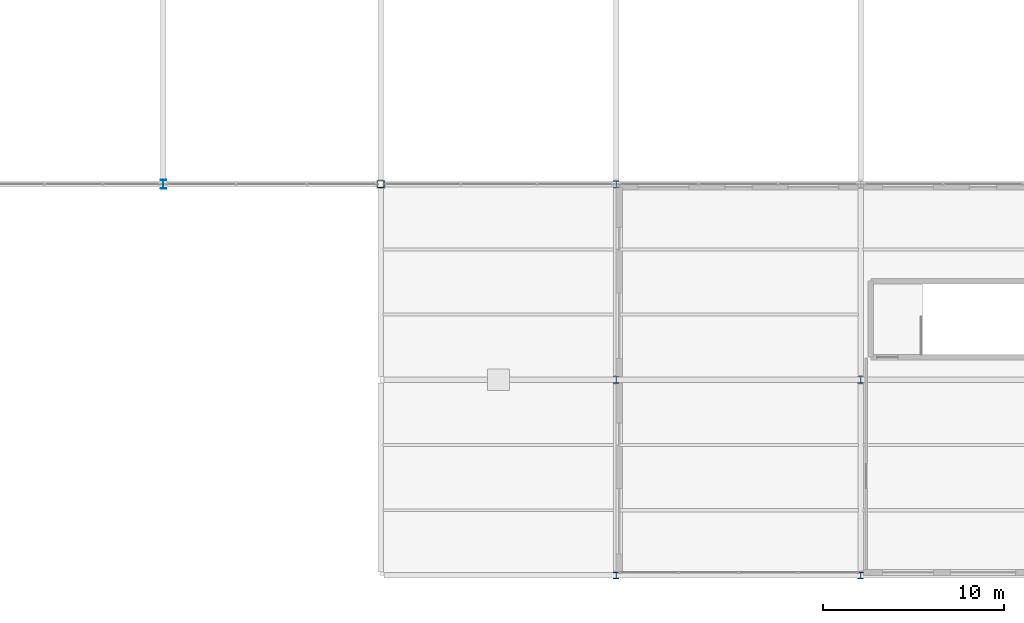
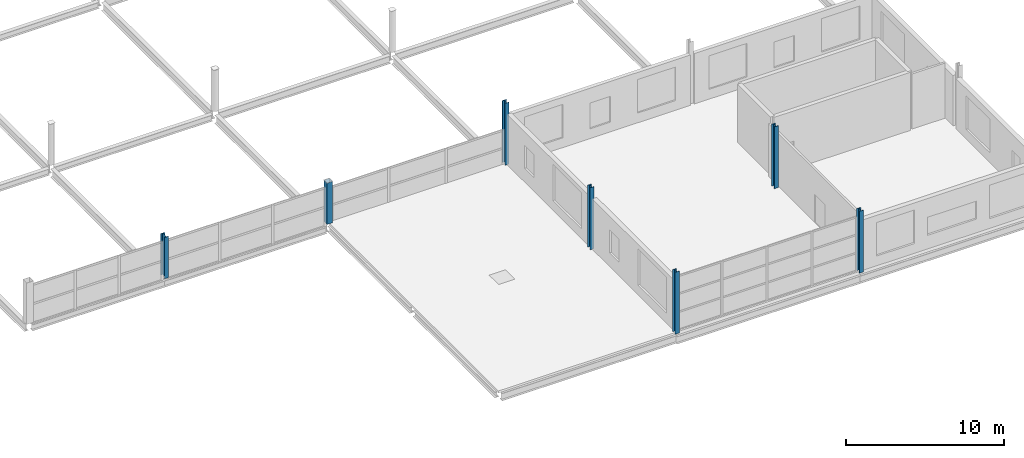
# One storey, part 13 of 134: 7 columns.
"""IFC4 building model written with IfcOpenShell, lengths in metres."""

from ifc_helpers import new_model, si_unit, direction, frame, origin, origin_2d, place, context, subcontext, project, spatial, hollow_rectangle, i_section, extrude, material, material_profile, profile_set, type_object, element, save


model = new_model("IFC4")

# Units and contexts
model_context = context("Model", 3, precision=1e-05, world=origin(), true_north=direction((0.0, 1.0)))
body_context = subcontext(model_context, "Body", "Model", "MODEL_VIEW")
ifc_project = project(units=[si_unit("LENGTHUNIT", "METRE"), si_unit("AREAUNIT", "SQUARE_METRE"), si_unit("VOLUMEUNIT", "CUBIC_METRE"), si_unit("PLANEANGLEUNIT", "RADIAN"), si_unit("MASSUNIT", "GRAM", prefix="KILO")], contexts=[model_context])

# Site, building, storey
site_placement = place(None, origin())
site = spatial("IfcSite", under=ifc_project, at=site_placement, CompositionType="ELEMENT")
building_placement = place(site_placement, origin())
building = spatial("IfcBuilding", under=site, at=building_placement, Name="Tamarisk Ironworks Central Station", CompositionType="ELEMENT")
storey_placement = place(building_placement, frame((0.0, 0.0, 12.60009765625)))
storey = spatial("IfcBuildingStorey", under=building, at=storey_placement, Name="L02", CompositionType="ELEMENT", Elevation=12.60009765625)

# Columns
ifc_material_1 = material(Name="Structural steel S355J2", Category="steel")
ifc_material_profile_1 = material_profile(ifc_material_1, i_section(OverallWidth=0.300048828125, OverallDepth=0.5, WebThickness=0.014404296875, FlangeThickness=0.028076171875, at=origin_2d()), Name="HEB 500")
ifc_profile_set_1 = profile_set([ifc_material_profile_1], Name="Structural steel S355J2")
column_type_1 = type_object("IfcColumnType", Name="COL-S07", PredefinedType="COLUMN", material=ifc_profile_set_1)
column_1_placement = place(storey_placement, frame((128.0, 21.60009765625, 0.0), z_axis=(0.0, 0.0, 1.0), x_axis=(1.0, 0.0, 0.0)))
element("IfcColumn", 1, at=column_1_placement, inside=storey, type_object=column_type_1, Name="L02 column V5S-16C", PredefinedType="COLUMN", context=body_context, shape_type="SweptSolid", body=[
    extrude(i_section(OverallWidth=0.300048828125, OverallDepth=0.5, WebThickness=0.014404296875, FlangeThickness=0.028076171875, at=origin_2d()), origin(), (0.0, 0.0, 1.0), 3.199951171875),
])
ifc_material_profile_2 = material_profile(ifc_material_1, i_section(OverallWidth=0.300048828125, OverallDepth=0.360107421875, WebThickness=0.012451171875, FlangeThickness=0.0224609375, at=origin_2d()), Name="HEB 360")
ifc_profile_set_2 = profile_set([ifc_material_profile_2], Name="Structural steel S355J2")
column_type_2 = type_object("IfcColumnType", Name="COL-S10", PredefinedType="COLUMN", material=ifc_profile_set_2)
for number, where, z_axis, x_axis, name in (
    (2, (153.0, 0.0, 0.0), (0.0, 0.0, 1.0), (1.0, 0.0, 0.0), "L02 column V5S-18A"),
    (3, (153.0, 10.800048828125, 0.0), (0.0, 0.0, 1.0), (1.0, 0.0, 0.0), "L02 column V5S-18B"),
    (4, (153.0, 21.60009765625, 0.0), (0.0, 0.0, 1.0), (1.0, 0.0, 0.0), "L02 column V5S-18C"),
    (5, (166.5, 0.0, 0.0), (0.0, 0.0, 1.0), (1.0, 0.0, 0.0), "L02 column V5S-19A"),
    (6, (166.5, 10.800048828125, 0.0), (0.0, 0.0, 1.0), (1.0, 0.0, 0.0), "L02 column V5S-19B"),
):
    element("IfcColumn", number, at=place(storey_placement, frame(where, z_axis=z_axis, x_axis=x_axis)), inside=storey, type_object=column_type_2, Name=name, PredefinedType="COLUMN", context=body_context, shape_type="SweptSolid", body=[
        extrude(i_section(OverallWidth=0.300048828125, OverallDepth=0.360107421875, WebThickness=0.012451171875, FlangeThickness=0.0224609375, at=origin_2d()), origin(), (0.0, 0.0, 1.0), 4.7998046875),
    ])
ifc_material_2 = material(Name="Structural steel S355J2H", Category="steel")
ifc_material_profile_3 = material_profile(ifc_material_2, hollow_rectangle(XDim=0.39990234375, YDim=0.39990234375, WallThickness=0.01611328125, at=origin_2d()), Name="SHS 400x400x16")
ifc_profile_set_3 = profile_set([ifc_material_profile_3], Name="Structural steel S355J2H")
column_type_3 = type_object("IfcColumnType", Name="COL-S14", PredefinedType="COLUMN", material=ifc_profile_set_3)
column_2_placement = place(storey_placement, frame((140.0, 21.60009765625, 0.0), z_axis=(0.0, 0.0, 1.0), x_axis=(1.0, 0.0, 0.0)))
element("IfcColumn", 7, at=column_2_placement, inside=storey, type_object=column_type_3, Name="L02 column V5S-17C", PredefinedType="COLUMN", context=body_context, shape_type="SweptSolid", body=[
    extrude(hollow_rectangle(XDim=0.39990234375, YDim=0.39990234375, WallThickness=0.01611328125, at=origin_2d()), origin(), (0.0, 0.0, 1.0), 3.199951171875),
])

save(model, "model.ifc")
